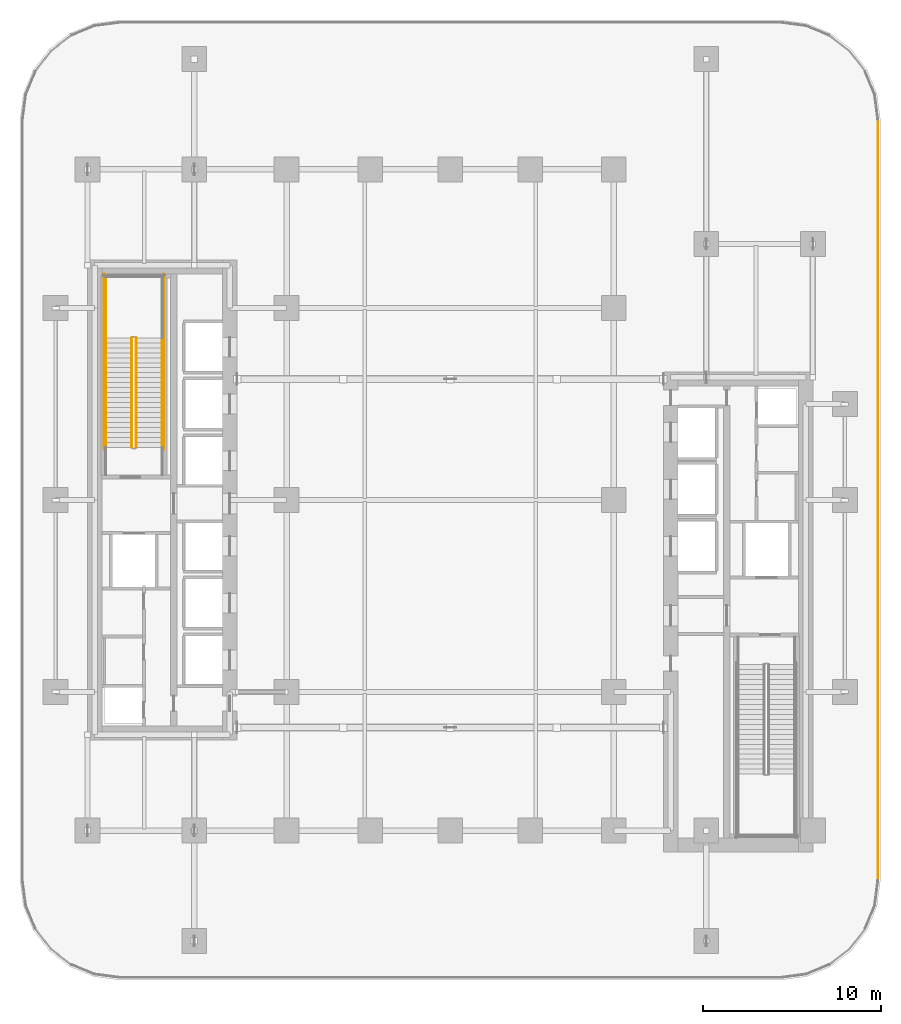
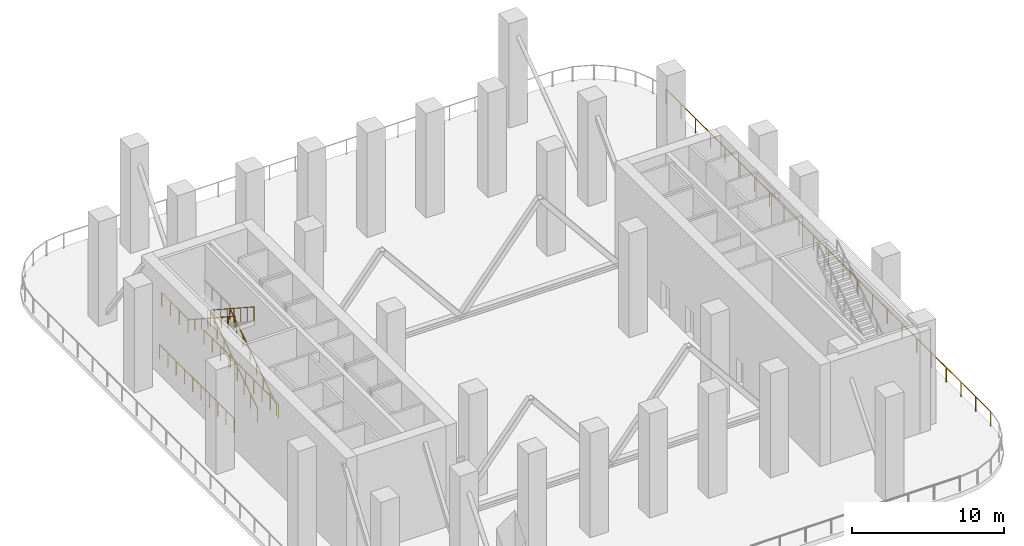
# One storey, part 11 of 13: 8 railings.
"""IFC4 building model written with IfcOpenShell, lengths in metres."""

import ifcopenshell
import ifcopenshell.guid

model = None  # the IFC model being written
_history = None  # IfcOwnerHistory: only IFC2X3 demands one
_inside = {}  # id of a spatial element -> (the spatial element, [elements in it])
_under = {}  # id of a project, library or spatial element -> (it, [spatial elements below it])
_declared = {}  # id of a project -> (the project, [libraries it declares])
_typed = {}  # id of a type object -> (the type object, [elements of that type])
_made_of = {}  # id of a material, layer set ... -> (it, [elements and type objects made of it])


def new_model(schema):
    """Start an empty IFC model of exactly this schema.

    Asked for "IFC4X3", IfcOpenShell would pick the latest addendum, in which some entities
    have other attributes; the version numbers below select the first issue.
    IFC2X3 requires an IfcOwnerHistory on every rooted entity: one is made here for all.
    """
    global model, _history
    if schema == "IFC4X3":
        model = ifcopenshell.file(schema_version=(4, 3, 0, 0))
    else:
        model = ifcopenshell.file(schema=schema)
    _inside.clear()
    _under.clear()
    _declared.clear()
    _typed.clear()
    _made_of.clear()
    _history = None
    if model.schema == "IFC2X3":
        org = make("IfcOrganization", Name="unknown")
        user = make(
            "IfcPersonAndOrganization",
            ThePerson=make("IfcPerson", FamilyName="unknown"),
            TheOrganization=org,
        )
        app = make(
            "IfcApplication",
            ApplicationDeveloper=org,
            Version="unknown",
            ApplicationFullName="unknown",
            ApplicationIdentifier="unknown",
        )
        _history = make(
            "IfcOwnerHistory",
            OwningUser=user,
            OwningApplication=app,
            ChangeAction="ADDED",
            CreationDate=0,
        )
    return model


def make(cls, **values):
    """One entity of the class cls with the attributes given. An attribute that is None is left unset."""
    return model.create_entity(
        cls, **{name: value for name, value in values.items() if value is not None}
    )


def rooted(cls, **values):
    """An entity with a GlobalId (a new one), such as an element, a storey or a relation."""
    return make(cls, GlobalId=ifcopenshell.guid.new(), OwnerHistory=_history, **values)


def si_unit(unit_type, name, prefix=None):
    """IfcSIUnit, for example si_unit("LENGTHUNIT", "METRE", prefix="MILLI")."""
    return make("IfcSIUnit", UnitType=unit_type, Prefix=prefix, Name=name)


def assignment(units):
    """IfcUnitAssignment: the units of a project."""
    return None if units is None else make("IfcUnitAssignment", Units=units)


def point(xyz):
    """IfcCartesianPoint."""
    return None if xyz is None else make("IfcCartesianPoint", Coordinates=xyz)


def direction(xyz):
    """IfcDirection."""
    return None if xyz is None else make("IfcDirection", DirectionRatios=xyz)


def frame(location, z_axis=None, x_axis=None):
    """IfcAxis2Placement3D, a coordinate frame: its origin and axes. An axis left out is left unset."""
    return make(
        "IfcAxis2Placement3D",
        Location=point(location),
        Axis=direction(z_axis),
        RefDirection=direction(x_axis),
    )


def frame_2d(location, x_axis=None):
    """IfcAxis2Placement2D, a coordinate frame in the plane: its origin and x axis."""
    return make(
        "IfcAxis2Placement2D", Location=point(location), RefDirection=direction(x_axis)
    )


def origin():
    """The frame at (0, 0, 0) with its axes left unset."""
    return frame((0.0, 0.0, 0.0))


def origin_2d():
    """The frame at (0, 0) in the plane with its x axis left unset."""
    return frame_2d((0.0, 0.0))


def place(relative_to, where):
    """IfcLocalPlacement: puts the frame where relative to a parent placement (None: the world)."""
    return make(
        "IfcLocalPlacement", PlacementRelTo=relative_to, RelativePlacement=where
    )


def context(
    kind, dimensions, precision=None, world=None, true_north=None, identifier=None
):
    """IfcGeometricRepresentationContext, for example the 3D "Model" context."""
    return make(
        "IfcGeometricRepresentationContext",
        ContextIdentifier=identifier,
        ContextType=kind,
        CoordinateSpaceDimension=dimensions,
        Precision=precision,
        WorldCoordinateSystem=world,
        TrueNorth=true_north,
    )


def subcontext(parent, identifier, kind, view, scale=None):
    """IfcGeometricRepresentationSubContext, for example "Body" below "Model"."""
    return make(
        "IfcGeometricRepresentationSubContext",
        ContextIdentifier=identifier,
        ContextType=kind,
        ParentContext=parent,
        TargetScale=scale,
        TargetView=view,
    )


def project(units=None, contexts=None):
    """IfcProject with its units and contexts."""
    return rooted(
        "IfcProject",
        Name="project",
        RepresentationContexts=contexts,
        UnitsInContext=assignment(units),
    )


def spatial(cls, under=None, at=None, **own):
    """A site, building, storey or space (cls), placed at a placement, below another one or the project."""
    s = rooted(cls, ObjectPlacement=at, **own)
    if under is not None:
        _under.setdefault(under.id(), (under, []))[1].append(s)
    return s


def profile(cls, at=None, kind="AREA", **sizes):
    """A parametric profile (cls). Its sizes go by their IFC names, for example OverallWidth=200.0."""
    return make(cls, ProfileType=kind, Position=at, **sizes)


def circle(**sizes):
    """IfcCircleProfileDef."""
    return profile("IfcCircleProfileDef", **sizes)


def extrude(swept, where, along, depth):
    """IfcExtrudedAreaSolid: the profile swept, set in the frame where, extruded along a direction by depth."""
    return make(
        "IfcExtrudedAreaSolid",
        SweptArea=swept,
        Position=where,
        ExtrudedDirection=direction(along),
        Depth=depth,
    )


def shape(context_of_items, identifier, shape_type, items):
    """IfcShapeRepresentation: the items that make up one representation, for example the "Body"."""
    return make(
        "IfcShapeRepresentation",
        ContextOfItems=context_of_items,
        RepresentationIdentifier=identifier,
        RepresentationType=shape_type,
        Items=items,
    )


def material(Name=None, Category=None):
    """IfcMaterial."""
    return make("IfcMaterial", Name=Name, Category=Category)


def made_of(thing, what):
    """Note that an element or type object is made of a material, layer set ...; save() writes the relation."""
    if what is not None:
        _made_of.setdefault(what.id(), (what, []))[1].append(thing)
    return thing


def type_object(cls, material=None, **own):
    """A type object (cls), such as IfcWallType, which elements share."""
    return made_of(rooted(cls, **own), material)


def element(
    cls,
    number,
    at=None,
    inside=None,
    cuts=None,
    type_object=None,
    material=None,
    context=None,
    identifier="Body",
    shape_type=None,
    held_by="IfcProductDefinitionShape",
    body=None,
    shapes=None,
    **own,
):
    """One element of the class cls, such as IfcWall. Its Tag is "e" and its number.

    at: its placement. inside: the storey or other place that contains it. cuts: it is an
    opening in that element (IfcRelVoidsElement). A single representation is given by context,
    identifier, shape_type and body (its items); several are given by shapes. held_by: the class
    of the entity that holds the representations. save() writes the other relations.
    """
    e = rooted(cls, Tag="e%d" % number, ObjectPlacement=at, **own)
    if body is not None:
        shapes = [shape(context, identifier, shape_type, body)]
    if shapes is not None:
        e.Representation = make(held_by, Representations=shapes)
    if inside is not None:
        _inside.setdefault(inside.id(), (inside, []))[1].append(e)
    if cuts is not None:
        rooted(
            "IfcRelVoidsElement", RelatingBuildingElement=cuts, RelatedOpeningElement=e
        )
    if type_object is not None:
        _typed.setdefault(type_object.id(), (type_object, []))[1].append(e)
    return made_of(e, material)


def aggregate(whole, parts):
    """IfcRelAggregates: a whole, such as a stair, and the parts it consists of."""
    return rooted("IfcRelAggregates", RelatingObject=whole, RelatedObjects=parts)


def save(model, path):
    """Write the relations noted so far, then the file.

    IfcRelAggregates (storeys below a building ...), IfcRelContainedInSpatialStructure (elements
    in a storey), IfcRelDefinesByType, IfcRelAssociatesMaterial and IfcRelDeclares: one each for
    every whole, place, type object, material and project.
    """
    for whole, parts in _under.values():
        aggregate(whole, parts)
    for where, things in _inside.values():
        rooted(
            "IfcRelContainedInSpatialStructure",
            RelatedElements=things,
            RelatingStructure=where,
        )
    for kind, things in _typed.values():
        rooted("IfcRelDefinesByType", RelatedObjects=things, RelatingType=kind)
    for what, things in _made_of.values():
        rooted("IfcRelAssociatesMaterial", RelatedObjects=things, RelatingMaterial=what)
    for by, libraries in _declared.values():
        rooted("IfcRelDeclares", RelatingContext=by, RelatedDefinitions=libraries)
    model.write(path)


model = new_model("IFC4")

# Units and contexts
model_context = context("Model", 3, precision=1e-05, world=origin(), true_north=direction((0.0, 1.0)))
body_context = subcontext(model_context, "Body", "Model", "MODEL_VIEW")
ifc_project = project(units=[si_unit("LENGTHUNIT", "METRE"), si_unit("AREAUNIT", "SQUARE_METRE"), si_unit("VOLUMEUNIT", "CUBIC_METRE"), si_unit("PLANEANGLEUNIT", "RADIAN"), si_unit("MASSUNIT", "GRAM", prefix="KILO")], contexts=[model_context])

# Site, building, storey
site_placement = place(None, origin())
site = spatial("IfcSite", under=ifc_project, at=site_placement, CompositionType="ELEMENT")
building_placement = place(site_placement, origin())
building = spatial("IfcBuilding", under=site, at=building_placement, Name="Khairoan Windgate Tower", CompositionType="ELEMENT")
storey_placement = place(building_placement, frame((0.0, 0.0, 84.800048828125)))
storey = spatial("IfcBuildingStorey", under=building, at=storey_placement, Name="L20", CompositionType="ELEMENT", Elevation=84.800048828125)

# Railings
ifc_material_1 = material(Name="Anodised Bronze Aluminium 6063-T6", Category="aluminium")
railing_type_1 = type_object("IfcRailingType", Name="Aerodynamic Bronze-and-Glass Balustrade BAL-1200", PredefinedType="BALUSTRADE", material=ifc_material_1)
railing_1_placement = place(storey_placement, frame((24.06005859375, 21.36572265625, 0.0)))
element("IfcRailing", 1, at=railing_1_placement, inside=storey, type_object=railing_type_1, Name="L20 Wind-Slot Portal Perimeter Balustrade 22", PredefinedType="BALUSTRADE", context=body_context, shape_type="SweptSolid", body=[
    extrude(circle(Radius=0.02392578125, at=origin_2d()), frame((0.0, 0.0, 1.17578125), z_axis=(0.0, -1.0, 0.0), x_axis=(1.0, 0.0, 0.0)), (0.0, 0.0, 1.0), 42.7314453125),
    extrude(circle(Radius=0.02099609375, at=origin_2d()), origin(), (0.0, 0.0, 1.0), 1.15185546875),
    extrude(circle(Radius=0.02099609375, at=origin_2d()), frame((0.0, -1.9423828125, 0.0)), (0.0, 0.0, 1.0), 1.15185546875),
    extrude(circle(Radius=0.02099609375, at=origin_2d()), frame((0.0, -3.884765625, 0.0)), (0.0, 0.0, 1.0), 1.15185546875),
    extrude(circle(Radius=0.02099609375, at=origin_2d()), frame((0.0, -5.826904296875, 0.0)), (0.0, 0.0, 1.0), 1.15185546875),
    extrude(circle(Radius=0.02099609375, at=origin_2d()), frame((0.0, -7.769287109375, 0.0)), (0.0, 0.0, 1.0), 1.15185546875),
    extrude(circle(Radius=0.02099609375, at=origin_2d()), frame((0.0, -9.711669921875, 0.0)), (0.0, 0.0, 1.0), 1.15185546875),
    extrude(circle(Radius=0.02099609375, at=origin_2d()), frame((0.0, -11.654052734375, 0.0)), (0.0, 0.0, 1.0), 1.15185546875),
    extrude(circle(Radius=0.02099609375, at=origin_2d()), frame((0.0, -13.596435546875, 0.0)), (0.0, 0.0, 1.0), 1.15185546875),
    extrude(circle(Radius=0.02099609375, at=origin_2d()), frame((0.0, -15.538818359375, 0.0)), (0.0, 0.0, 1.0), 1.15185546875),
    extrude(circle(Radius=0.02099609375, at=origin_2d()), frame((0.0, -17.48095703125, 0.0)), (0.0, 0.0, 1.0), 1.15185546875),
    extrude(circle(Radius=0.02099609375, at=origin_2d()), frame((0.0, -19.42333984375, 0.0)), (0.0, 0.0, 1.0), 1.15185546875),
    extrude(circle(Radius=0.02099609375, at=origin_2d()), frame((0.0, -21.36572265625, 0.0)), (0.0, 0.0, 1.0), 1.15185546875),
    extrude(circle(Radius=0.02099609375, at=origin_2d()), frame((0.0, -23.30810546875, 0.0)), (0.0, 0.0, 1.0), 1.15185546875),
    extrude(circle(Radius=0.02099609375, at=origin_2d()), frame((0.0, -25.25048828125, 0.0)), (0.0, 0.0, 1.0), 1.15185546875),
    extrude(circle(Radius=0.02099609375, at=origin_2d()), frame((0.0, -27.192626953125, 0.0)), (0.0, 0.0, 1.0), 1.15185546875),
    extrude(circle(Radius=0.02099609375, at=origin_2d()), frame((0.0, -29.135009765625, 0.0)), (0.0, 0.0, 1.0), 1.15185546875),
    extrude(circle(Radius=0.02099609375, at=origin_2d()), frame((0.0, -31.077392578125, 0.0)), (0.0, 0.0, 1.0), 1.15185546875),
    extrude(circle(Radius=0.02099609375, at=origin_2d()), frame((0.0, -33.019775390625, 0.0)), (0.0, 0.0, 1.0), 1.15185546875),
    extrude(circle(Radius=0.02099609375, at=origin_2d()), frame((0.0, -34.962158203125, 0.0)), (0.0, 0.0, 1.0), 1.15185546875),
    extrude(circle(Radius=0.02099609375, at=origin_2d()), frame((0.0, -36.904541015625, 0.0)), (0.0, 0.0, 1.0), 1.15185546875),
    extrude(circle(Radius=0.02099609375, at=origin_2d()), frame((0.0, -38.8466796875, 0.0)), (0.0, 0.0, 1.0), 1.15185546875),
    extrude(circle(Radius=0.02099609375, at=origin_2d()), frame((0.0, -40.7890625, 0.0)), (0.0, 0.0, 1.0), 1.15185546875),
    extrude(circle(Radius=0.02099609375, at=origin_2d()), frame((0.0, -42.7314453125, 0.0)), (0.0, 0.0, 1.0), 1.15185546875),
])
ifc_material_2 = material(Name="Anodised Bronze Aluminium 6063-T6", Category="aluminium")
railing_type_2 = type_object("IfcRailingType", Name="Stair Wall Handrail SHR-900", PredefinedType="HANDRAIL", material=ifc_material_2)
railing_2_placement = place(storey_placement, frame((-16.199951171875, 2.9599609375, 0.1826171875)))
element("IfcRailing", 2, at=railing_2_placement, inside=storey, type_object=railing_type_2, Name="L20 ST2 stair handrail 1", PredefinedType="HANDRAIL", context=body_context, shape_type="SweptSolid", body=[
    extrude(circle(Radius=0.02392578125, at=origin_2d()), frame((0.0, 0.0, 0.8759765625), z_axis=(0.0, 0.837620502894, 0.546252590961), x_axis=(-1.0, 0.0, 0.0)), (0.0, 0.0, 1.0), 7.354248046875),
    extrude(circle(Radius=0.02099609375, at=origin_2d()), origin(), (0.0, 0.0, 1.0), 0.851806640625),
    extrude(circle(Radius=0.02099609375, at=origin_2d()), frame((0.0, 0.880126953125, 0.573974609375)), (0.0, 0.0, 1.0), 0.851806640625),
    extrude(circle(Radius=0.02099609375, at=origin_2d()), frame((0.0, 1.760009765625, 1.147705078125)), (0.0, 0.0, 1.0), 0.851806640625),
    extrude(circle(Radius=0.02099609375, at=origin_2d()), frame((0.0, 2.64013671875, 1.7216796875)), (0.0, 0.0, 1.0), 0.851806640625),
    extrude(circle(Radius=0.02099609375, at=origin_2d()), frame((0.0, 3.52001953125, 2.295654296875)), (0.0, 0.0, 1.0), 0.851806640625),
    extrude(circle(Radius=0.02099609375, at=origin_2d()), frame((0.0, 4.400146484375, 2.86962890625)), (0.0, 0.0, 1.0), 0.851806640625),
    extrude(circle(Radius=0.02099609375, at=origin_2d()), frame((0.0, 5.280029296875, 3.443359375)), (0.0, 0.0, 1.0), 0.851806640625),
    extrude(circle(Radius=0.02099609375, at=origin_2d()), frame((0.0, 6.16015625, 4.017333984375)), (0.0, 0.0, 1.0), 0.851806640625),
])
railing_3_placement = place(storey_placement, frame((-19.3701171875, 9.1201171875, 4.382568359375)))
element("IfcRailing", 3, at=railing_3_placement, inside=storey, type_object=railing_type_2, Name="L20 ST2 stair handrail 2", PredefinedType="HANDRAIL", context=body_context, shape_type="SweptSolid", body=[
    extrude(circle(Radius=0.02392578125, at=origin_2d()), frame((0.0, 0.0, 0.8759765625), z_axis=(0.0, -0.837620502894, 0.546252590961), x_axis=(1.0, 0.0, 0.0)), (0.0, 0.0, 1.0), 7.354248046875),
    extrude(circle(Radius=0.02099609375, at=origin_2d()), origin(), (0.0, 0.0, 1.0), 0.851806640625),
    extrude(circle(Radius=0.02099609375, at=origin_2d()), frame((0.0, -0.880126953125, 0.573974609375)), (0.0, 0.0, 1.0), 0.851806640625),
    extrude(circle(Radius=0.02099609375, at=origin_2d()), frame((0.0, -1.760009765625, 1.147705078125)), (0.0, 0.0, 1.0), 0.851806640625),
    extrude(circle(Radius=0.02099609375, at=origin_2d()), frame((0.0, -2.64013671875, 1.7216796875)), (0.0, 0.0, 1.0), 0.851806640625),
    extrude(circle(Radius=0.02099609375, at=origin_2d()), frame((0.0, -3.52001953125, 2.295654296875)), (0.0, 0.0, 1.0), 0.851806640625),
    extrude(circle(Radius=0.02099609375, at=origin_2d()), frame((0.0, -4.400146484375, 2.86962890625)), (0.0, 0.0, 1.0), 0.851806640625),
    extrude(circle(Radius=0.02099609375, at=origin_2d()), frame((0.0, -5.280029296875, 3.443359375)), (0.0, 0.0, 1.0), 0.851806640625),
    extrude(circle(Radius=0.02099609375, at=origin_2d()), frame((0.0, -6.16015625, 4.017333984375)), (0.0, 0.0, 1.0), 0.851806640625),
])
ifc_material_3 = material(Name="Steel S355", Category="steel")
railing_type_3 = type_object("IfcRailingType", Name="Stairwell Safety Guardrail SGR-1150", PredefinedType="GUARDRAIL", material=ifc_material_3)
railing_4_placement = place(storey_placement, frame((-17.659912109375, 2.9599609375, 0.1826171875)))
element("IfcRailing", 4, at=railing_4_placement, inside=storey, type_object=railing_type_3, Name="L20 ST2 stair guard 1", PredefinedType="GUARDRAIL", context=body_context, shape_type="SweptSolid", body=[
    extrude(circle(Radius=0.02392578125, at=origin_2d()), frame((0.0, 0.0, 1.1259765625), z_axis=(0.0, 0.837620502894, 0.546252590961), x_axis=(-1.0, 0.0, 0.0)), (0.0, 0.0, 1.0), 7.354248046875),
    extrude(circle(Radius=0.02099609375, at=origin_2d()), origin(), (0.0, 0.0, 1.0), 1.101806640625),
    extrude(circle(Radius=0.02099609375, at=origin_2d()), frame((0.0, 0.880126953125, 0.573974609375)), (0.0, 0.0, 1.0), 1.101806640625),
    extrude(circle(Radius=0.02099609375, at=origin_2d()), frame((0.0, 1.760009765625, 1.147705078125)), (0.0, 0.0, 1.0), 1.101806640625),
    extrude(circle(Radius=0.02099609375, at=origin_2d()), frame((0.0, 2.64013671875, 1.7216796875)), (0.0, 0.0, 1.0), 1.101806640625),
    extrude(circle(Radius=0.02099609375, at=origin_2d()), frame((0.0, 3.52001953125, 2.295654296875)), (0.0, 0.0, 1.0), 1.101806640625),
    extrude(circle(Radius=0.02099609375, at=origin_2d()), frame((0.0, 4.400146484375, 2.86962890625)), (0.0, 0.0, 1.0), 1.101806640625),
    extrude(circle(Radius=0.02099609375, at=origin_2d()), frame((0.0, 5.280029296875, 3.443359375)), (0.0, 0.0, 1.0), 1.101806640625),
    extrude(circle(Radius=0.02099609375, at=origin_2d()), frame((0.0, 6.16015625, 4.017333984375)), (0.0, 0.0, 1.0), 1.101806640625),
])
railing_5_placement = place(storey_placement, frame((-19.3701171875, 9.1201171875, 4.199951171875)))
element("IfcRailing", 5, at=railing_5_placement, inside=storey, type_object=railing_type_3, Name="L20 ST2 stair guard 4", PredefinedType="GUARDRAIL", context=body_context, shape_type="SweptSolid", body=[
    extrude(circle(Radius=0.02392578125, at=origin_2d()), frame((0.0, 0.0, 1.1259765625), z_axis=(0.0, 1.0, 0.0), x_axis=(-1.0, 0.0, 0.0)), (0.0, 0.0, 1.0), 3.47998046875),
    extrude(circle(Radius=0.02099609375, at=origin_2d()), origin(), (0.0, 0.0, 1.0), 1.101806640625),
    extrude(circle(Radius=0.02099609375, at=origin_2d()), frame((0.0, 1.159912109375, 0.0)), (0.0, 0.0, 1.0), 1.101806640625),
    extrude(circle(Radius=0.02099609375, at=origin_2d()), frame((0.0, 2.320068359375, 0.0)), (0.0, 0.0, 1.0), 1.101806640625),
    extrude(circle(Radius=0.02099609375, at=origin_2d()), frame((0.0, 3.47998046875, 0.0)), (0.0, 0.0, 1.0), 1.101806640625),
])
railing_6_placement = place(storey_placement, frame((-17.909912109375, 9.1201171875, 4.382568359375)))
element("IfcRailing", 6, at=railing_6_placement, inside=storey, type_object=railing_type_3, Name="L20 ST2 stair guard 6", PredefinedType="GUARDRAIL", context=body_context, shape_type="SweptSolid", body=[
    extrude(circle(Radius=0.02392578125, at=origin_2d()), frame((0.0, 0.0, 1.1259765625), z_axis=(0.0, -0.837620502894, 0.546252590961), x_axis=(1.0, 0.0, 0.0)), (0.0, 0.0, 1.0), 7.354248046875),
    extrude(circle(Radius=0.02099609375, at=origin_2d()), origin(), (0.0, 0.0, 1.0), 1.101806640625),
    extrude(circle(Radius=0.02099609375, at=origin_2d()), frame((0.0, -0.880126953125, 0.573974609375)), (0.0, 0.0, 1.0), 1.101806640625),
    extrude(circle(Radius=0.02099609375, at=origin_2d()), frame((0.0, -1.760009765625, 1.147705078125)), (0.0, 0.0, 1.0), 1.101806640625),
    extrude(circle(Radius=0.02099609375, at=origin_2d()), frame((0.0, -2.64013671875, 1.7216796875)), (0.0, 0.0, 1.0), 1.101806640625),
    extrude(circle(Radius=0.02099609375, at=origin_2d()), frame((0.0, -3.52001953125, 2.295654296875)), (0.0, 0.0, 1.0), 1.101806640625),
    extrude(circle(Radius=0.02099609375, at=origin_2d()), frame((0.0, -4.400146484375, 2.86962890625)), (0.0, 0.0, 1.0), 1.101806640625),
    extrude(circle(Radius=0.02099609375, at=origin_2d()), frame((0.0, -5.280029296875, 3.443359375)), (0.0, 0.0, 1.0), 1.101806640625),
    extrude(circle(Radius=0.02099609375, at=origin_2d()), frame((0.0, -6.16015625, 4.017333984375)), (0.0, 0.0, 1.0), 1.101806640625),
])
for number, where, name in (
    (7, (-16.10009765625, 2.860107421875, 0.0), "L20 ST2 stair guard 10"),
    (8, (-19.469970703125, 2.860107421875, 0.0), "L20 ST2 stair guard 11"),
):
    element("IfcRailing", number, at=place(storey_placement, frame(where)), inside=storey, type_object=railing_type_3, Name=name, PredefinedType="GUARDRAIL", context=body_context, shape_type="SweptSolid", body=[
        extrude(circle(Radius=0.02392578125, at=origin_2d()), frame((0.0, 0.0, 1.1259765625), z_axis=(0.0, 1.0, 0.0), x_axis=(-1.0, 0.0, 0.0)), (0.0, 0.0, 1.0), 9.83984375),
        extrude(circle(Radius=0.02099609375, at=origin_2d()), origin(), (0.0, 0.0, 1.0), 1.101806640625),
        extrude(circle(Radius=0.02099609375, at=origin_2d()), frame((0.0, 1.09326171875, 0.0)), (0.0, 0.0, 1.0), 1.101806640625),
        extrude(circle(Radius=0.02099609375, at=origin_2d()), frame((0.0, 2.1865234375, 0.0)), (0.0, 0.0, 1.0), 1.101806640625),
        extrude(circle(Radius=0.02099609375, at=origin_2d()), frame((0.0, 3.280029296875, 0.0)), (0.0, 0.0, 1.0), 1.101806640625),
        extrude(circle(Radius=0.02099609375, at=origin_2d()), frame((0.0, 4.373291015625, 0.0)), (0.0, 0.0, 1.0), 1.101806640625),
        extrude(circle(Radius=0.02099609375, at=origin_2d()), frame((0.0, 5.466552734375, 0.0)), (0.0, 0.0, 1.0), 1.101806640625),
        extrude(circle(Radius=0.02099609375, at=origin_2d()), frame((0.0, 6.559814453125, 0.0)), (0.0, 0.0, 1.0), 1.101806640625),
        extrude(circle(Radius=0.02099609375, at=origin_2d()), frame((0.0, 7.6533203125, 0.0)), (0.0, 0.0, 1.0), 1.101806640625),
        extrude(circle(Radius=0.02099609375, at=origin_2d()), frame((0.0, 8.74658203125, 0.0)), (0.0, 0.0, 1.0), 1.101806640625),
        extrude(circle(Radius=0.02099609375, at=origin_2d()), frame((0.0, 9.83984375, 0.0)), (0.0, 0.0, 1.0), 1.101806640625),
    ])

save(model, "model.ifc")
